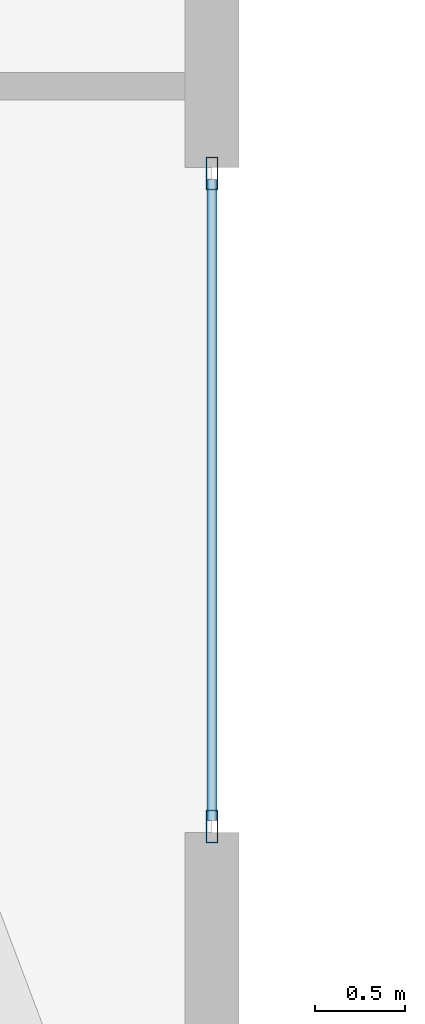
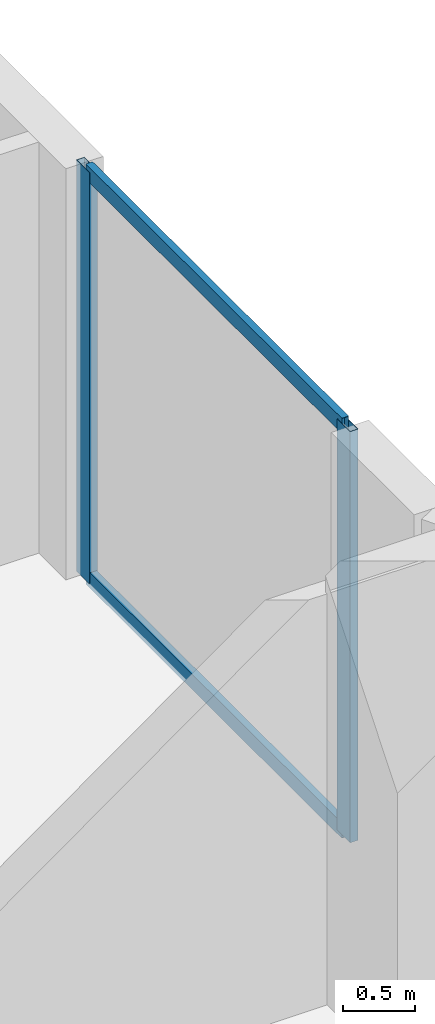
# One storey, part 11 of 25: 4 members, 1 element without a shape of its own.
"""IFC4 building model written with IfcOpenShell, lengths in metres."""

from ifc_helpers import new_model, si_unit, direction, frame, origin, origin_2d, place, context, subcontext, project, spatial, hollow_rectangle, extrude, material, layer, layer_set, material_profile, profile_set, type_object, element, aggregate, save


model = new_model("IFC4")

# Units and contexts
model_context = context("Model", 3, precision=1e-05, world=origin(), true_north=direction((0.0, 1.0)))
body_context = subcontext(model_context, "Body", "Model", "MODEL_VIEW")
ifc_project = project(units=[si_unit("LENGTHUNIT", "METRE"), si_unit("AREAUNIT", "SQUARE_METRE"), si_unit("VOLUMEUNIT", "CUBIC_METRE"), si_unit("PLANEANGLEUNIT", "RADIAN"), si_unit("MASSUNIT", "GRAM", prefix="KILO")], contexts=[model_context])

# Site, building, storey
site_placement = place(None, origin())
site = spatial("IfcSite", under=ifc_project, at=site_placement, CompositionType="ELEMENT")
building_placement = place(site_placement, origin())
building = spatial("IfcBuilding", under=site, at=building_placement, Name="Zuhayl Quay Hotel", CompositionType="ELEMENT")
storey_placement = place(building_placement, frame((0.0, 0.0, 258.14990234375)))
storey = spatial("IfcBuildingStorey", under=building, at=storey_placement, Name="L65", CompositionType="ELEMENT", Elevation=258.14990234375)

# Curtain wall, members
ifc_material_1 = material(Name="Anodised Aluminium 6063-T6", Category="aluminium")
ifc_layer = layer(ifc_material_1, 0.169921875, Name="Anodised Aluminium 6063-T6", Category="aluminium")
ifc_layer_set = layer_set([ifc_layer], Name="Anodised Aluminium 6063-T6")
curtain_wall_type = type_object("IfcCurtainWallType", Name="CW_SYS_Z4", PredefinedType="USERDEFINED", material=ifc_layer_set)
curtain_wall_placement = place(storey_placement, origin())
curtain_wall = element("IfcCurtainWall", 1, at=curtain_wall_placement, inside=storey, type_object=curtain_wall_type, Name="L65 Curtain Wall ENV_L65_E11_CW2", ObjectType="UNITISED CURTAIN WALL", PredefinedType="USERDEFINED")
ifc_material_2 = material(Name="Black-anodised aluminium 6063-T6", Category="aluminium")
ifc_material_profile_1 = material_profile(ifc_material_2, hollow_rectangle(XDim=0.06494140625, YDim=0.179931640625, WallThickness=0.00341796875, at=origin_2d()), Name="ALU180X65")
ifc_profile_set_1 = profile_set([ifc_material_profile_1], Name="Black-anodised aluminium 6063-T6")
member_type_1 = type_object("IfcMemberType", Name="MB_CW_MUL_180", PredefinedType="MULLION", material=ifc_profile_set_1)
member_1_placement = place(storey_placement, frame((20.199951171875, 28.8974609375, 0.0), z_axis=(0.0, 0.0, 1.0), x_axis=(1.0, 0.0, 0.0)))
member_1 = element("IfcMember", 2, at=member_1_placement, type_object=member_type_1, Name="CW-Z4 mullion 1", PredefinedType="MULLION", context=body_context, shape_type="SweptSolid", body=[
    extrude(hollow_rectangle(XDim=0.06494140625, YDim=0.179931640625, WallThickness=0.00341796875, at=origin_2d()), origin(), (0.0, 0.0, 1.0), 3.47998046875),
])
member_2_placement = place(storey_placement, frame((20.199951171875, 25.282470703125, 0.0), z_axis=(0.0, 0.0, 1.0), x_axis=(1.0, 0.0, 0.0)))
member_2 = element("IfcMember", 3, at=member_2_placement, type_object=member_type_1, Name="CW-Z4 mullion 2", PredefinedType="MULLION", context=body_context, shape_type="SweptSolid", body=[
    extrude(hollow_rectangle(XDim=0.06494140625, YDim=0.179931640625, WallThickness=0.00341796875, at=origin_2d()), origin(), (0.0, 0.0, 1.0), 3.47998046875),
])
ifc_material_profile_2 = material_profile(ifc_material_2, hollow_rectangle(XDim=0.054931640625, YDim=0.1298828125, WallThickness=0.0029296875, at=origin_2d()), Name="ALU130X55")
ifc_profile_set_2 = profile_set([ifc_material_profile_2], Name="Black-anodised aluminium 6063-T6")
member_type_2 = type_object("IfcMemberType", Name="MB_CW_TRN_130", PredefinedType="USERDEFINED", material=ifc_profile_set_2)
member_3_placement = place(storey_placement, frame((20.199951171875, 28.864990234375, 0.027587890625), z_axis=(0.0, -1.0, 0.0), x_axis=(1.0, 0.0, 0.0)))
member_3 = element("IfcMember", 4, at=member_3_placement, type_object=member_type_2, Name="CW-Z4 transom 1.1", ObjectType="TRANSOM", PredefinedType="USERDEFINED", context=body_context, shape_type="SweptSolid", body=[
    extrude(hollow_rectangle(XDim=0.054931640625, YDim=0.1298828125, WallThickness=0.0029296875, at=origin_2d()), origin(), (0.0, 0.0, 1.0), 3.550048828125),
])
member_4_placement = place(storey_placement, frame((20.199951171875, 28.864990234375, 3.45263671875), z_axis=(0.0, -1.0, 0.0), x_axis=(1.0, 0.0, 0.0)))
member_4 = element("IfcMember", 5, at=member_4_placement, type_object=member_type_2, Name="CW-Z4 transom 1.2", ObjectType="TRANSOM", PredefinedType="USERDEFINED", context=body_context, shape_type="SweptSolid", body=[
    extrude(hollow_rectangle(XDim=0.054931640625, YDim=0.1298828125, WallThickness=0.0029296875, at=origin_2d()), origin(), (0.0, 0.0, 1.0), 3.550048828125),
])
aggregate(curtain_wall, [member_1, member_2, member_3, member_4])

save(model, "model.ifc")
